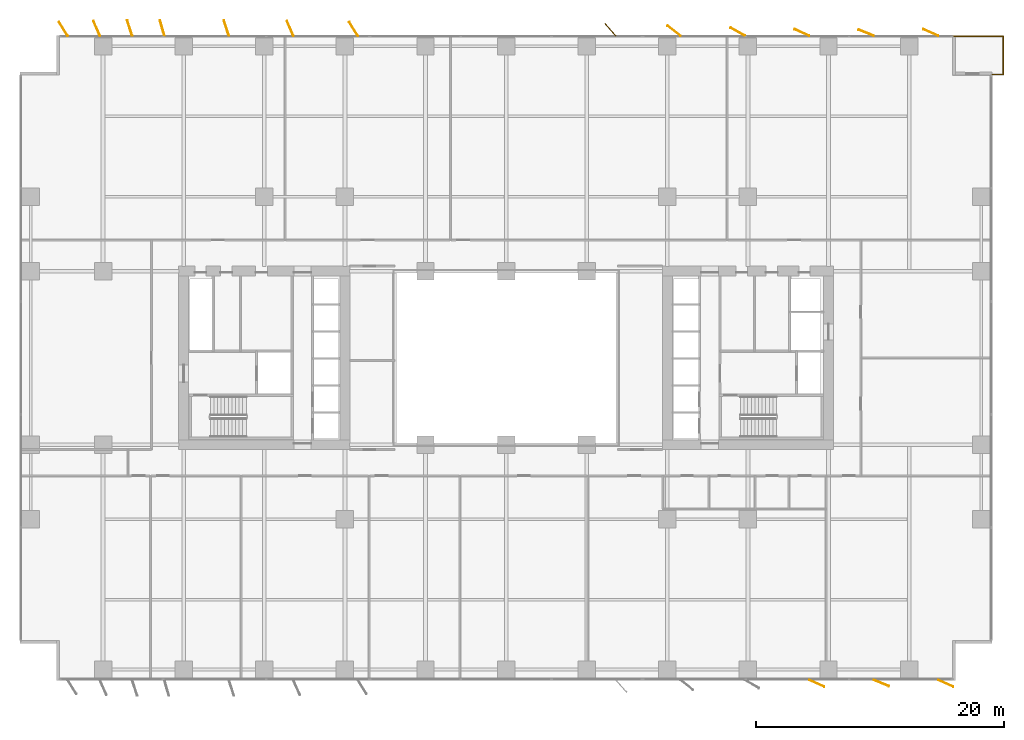
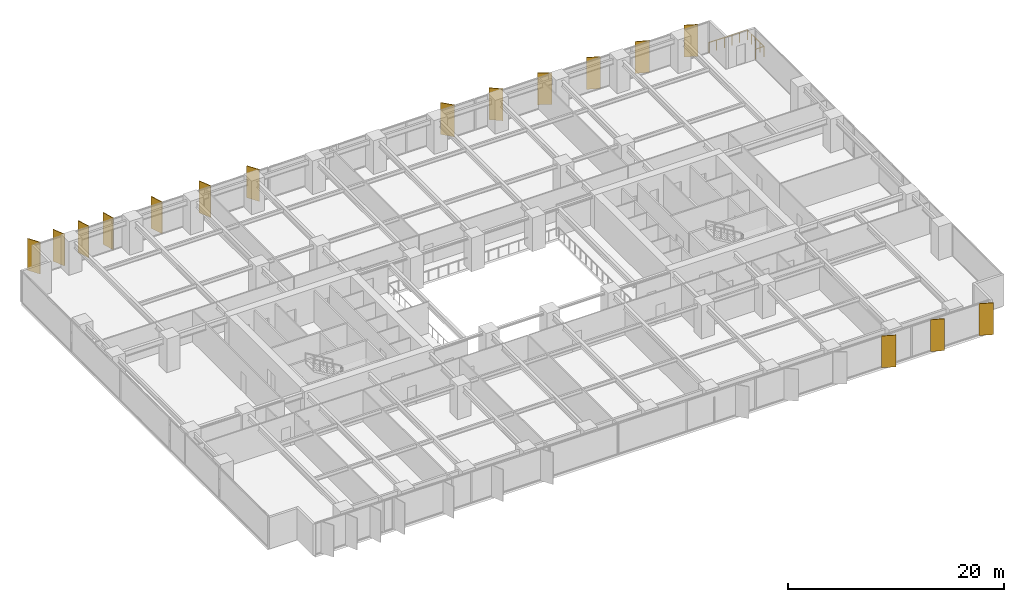
# One storey, part 20 of 20: 16 shading devices, 1 railing.
"""IFC4 building model written with IfcOpenShell, lengths in metres."""

from ifc_helpers import new_model, si_unit, direction, frame, origin, origin_2d, place, context, subcontext, project, spatial, rectangle, circle, extrude, material, layer, layer_set, type_object, element, save


model = new_model("IFC4")

# Units and contexts
model_context = context("Model", 3, precision=1e-05, world=origin(), true_north=direction((0.0, 1.0)))
body_context = subcontext(model_context, "Body", "Model", "MODEL_VIEW")
ifc_project = project(units=[si_unit("LENGTHUNIT", "METRE"), si_unit("AREAUNIT", "SQUARE_METRE"), si_unit("VOLUMEUNIT", "CUBIC_METRE"), si_unit("PLANEANGLEUNIT", "RADIAN"), si_unit("MASSUNIT", "GRAM", prefix="KILO")], contexts=[model_context])

# Site, building, storey
site_placement = place(None, origin())
site = spatial("IfcSite", under=ifc_project, at=site_placement, CompositionType="ELEMENT")
building_placement = place(site_placement, origin())
building = spatial("IfcBuilding", under=site, at=building_placement, Name="Putna Gate Headquarters", CompositionType="ELEMENT")
storey_placement = place(building_placement, frame((0.0, 0.0, 69.60009765625)))
storey = spatial("IfcBuildingStorey", under=building, at=storey_placement, Name="L16", CompositionType="ELEMENT", Elevation=69.60009765625)

# Railing
ifc_material_1 = material(Name="Anodised bronze steel and laminated glass guardrail", Category="steel")
railing_type = type_object("IfcRailingType", Name="RAIL-TERR-GUARD-1150", PredefinedType="GUARDRAIL", material=ifc_material_1)
railing_placement = place(storey_placement, frame((78.199951171875, 48.860107421875, 0.0)))
element("IfcRailing", 1, at=railing_placement, inside=storey, type_object=railing_type, Name="L16 Spiral Sky Terrace Guardrail NE", PredefinedType="GUARDRAIL", context=body_context, shape_type="SweptSolid", body=[
    extrude(circle(Radius=0.02392578125, at=origin_2d()), frame((0.0, 0.0, 1.1259765625), z_axis=(1.0, 0.0, 0.0), x_axis=(0.0, 1.0, 0.0)), (0.0, 0.0, 1.0), 0.89013671875),
    extrude(circle(Radius=0.02392578125, at=origin_2d()), frame((0.89013671875, 0.0, 1.1259765625), z_axis=(0.0, 1.0, 0.0), x_axis=(-1.0, 0.0, 0.0)), (0.0, 0.0, 1.0), 3.079833984375),
    extrude(circle(Radius=0.02392578125, at=origin_2d()), frame((0.89013671875, 3.079833984375, 1.1259765625), z_axis=(-1.0, 0.0, 0.0), x_axis=(0.0, -1.0, 0.0)), (0.0, 0.0, 1.0), 4.090087890625),
    extrude(circle(Radius=0.02099609375, at=origin_2d()), origin(), (0.0, 0.0, 1.0), 1.101806640625),
    extrude(circle(Radius=0.02099609375, at=origin_2d()), frame((0.89013671875, 0.0, 0.0)), (0.0, 0.0, 1.0), 1.101806640625),
    extrude(circle(Radius=0.02099609375, at=origin_2d()), frame((0.89013671875, 0.77001953125, 0.0)), (0.0, 0.0, 1.0), 1.101806640625),
    extrude(circle(Radius=0.02099609375, at=origin_2d()), frame((0.89013671875, 1.5400390625, 0.0)), (0.0, 0.0, 1.0), 1.101806640625),
    extrude(circle(Radius=0.02099609375, at=origin_2d()), frame((0.89013671875, 2.309814453125, 0.0)), (0.0, 0.0, 1.0), 1.101806640625),
    extrude(circle(Radius=0.02099609375, at=origin_2d()), frame((0.89013671875, 3.079833984375, 0.0)), (0.0, 0.0, 1.0), 1.101806640625),
    extrude(circle(Radius=0.02099609375, at=origin_2d()), frame((0.072021484375, 3.079833984375, 0.0)), (0.0, 0.0, 1.0), 1.101806640625),
    extrude(circle(Radius=0.02099609375, at=origin_2d()), frame((-0.745849609375, 3.079833984375, 0.0)), (0.0, 0.0, 1.0), 1.101806640625),
    extrude(circle(Radius=0.02099609375, at=origin_2d()), frame((-1.56396484375, 3.079833984375, 0.0)), (0.0, 0.0, 1.0), 1.101806640625),
    extrude(circle(Radius=0.02099609375, at=origin_2d()), frame((-2.3818359375, 3.079833984375, 0.0)), (0.0, 0.0, 1.0), 1.101806640625),
    extrude(circle(Radius=0.02099609375, at=origin_2d()), frame((-3.199951171875, 3.079833984375, 0.0)), (0.0, 0.0, 1.0), 1.101806640625),
])

# Shading devices
ifc_material_2 = material(Name="Anodised architectural bronze aluminium fin", Category="aluminium")
ifc_layer = layer(ifc_material_2, 0.06494140625)
ifc_layer_set = layer_set([ifc_layer], Name="Anodised architectural bronze aluminium fin")
shading_device_type = type_object("IfcShadingDeviceType", Name="SHADE-BRONZE-FIN-1320", PredefinedType="USERDEFINED", material=ifc_layer_set)
for number, where, z_axis, x_axis, name in (
    (2, (3.2998046875, 52.534423828125, -0.02001953125), (0.0, 0.0, 1.0), (-0.530659123936, 0.847585331506, 0.0), "L16 Bronze Vertical Shading Fin N1"),
    (3, (5.985595703125, 52.57958984375, -0.02001953125), (0.0, 0.0, 1.0), (-0.400668879095, 0.916222925562, 0.0), "L16 Bronze Vertical Shading Fin N2"),
    (4, (8.646240234375, 52.602783203125, -0.02001953125), (0.0, 0.0, 1.0), (-0.308684994204, 0.951164325631, 0.0), "L16 Bronze Vertical Shading Fin N3"),
    (5, (11.26806640625, 52.609375, -0.02001953125), (0.0, 0.0, 1.0), (-0.275637355817, 0.961261695938, 0.0), "L16 Bronze Vertical Shading Fin N4"),
    (6, (16.4462890625, 52.602783203125, -0.02001953125), (0.0, 0.0, 1.0), (-0.308684994204, 0.951164325631, 0.0), "L16 Bronze Vertical Shading Fin N5"),
    (7, (21.585693359375, 52.57958984375, -0.02001953125), (0.0, 0.0, 1.0), (-0.400668879095, 0.916222925562, 0.0), "L16 Bronze Vertical Shading Fin N6"),
    (8, (26.69970703125, 52.534423828125, -0.02001953125), (0.0, 0.0, 1.0), (-0.530659123936, 0.847585331506, 0.0), "L16 Bronze Vertical Shading Fin N7"),
    (9, (47.408447265625, 52.465576171875, -0.02001953125), (0.0, 0.0, 1.0), (-0.669130606359, 0.743144825477, 0.0), "L16 Bronze Vertical Shading Fin N8"),
    (10, (52.5302734375, 52.3818359375, -0.02001953125), (0.0, 0.0, 1.0), (-0.787473187632, 0.616348909921, 0.0), "L16 Bronze Vertical Shading Fin N9"),
    (11, (57.67626953125, 52.30126953125, -0.02001953125), (0.0, 0.0, 1.0), (-0.869322458298, 0.494245347472, 0.0), "L16 Bronze Vertical Shading Fin N10"),
    (12, (64.052978515625, -0.2431640625, -0.02001953125), (0.0, 0.0, 1.0), (0.913687379856, -0.40641773078, 0.0), "L16 Bronze Vertical Shading Fin S11"),
    (13, (62.846923828125, 52.2431640625, -0.02001953125), (0.0, 0.0, 1.0), (-0.913687379856, 0.40641773078, 0.0), "L16 Bronze Vertical Shading Fin N11"),
    (14, (69.261962890625, -0.22216796875, -0.02001953125), (0.0, 0.0, 1.0), (0.927183854567, -0.374606593416, 0.0), "L16 Bronze Vertical Shading Fin S12"),
    (15, (68.0380859375, 52.22216796875, -0.02001953125), (0.0, 0.0, 1.0), (-0.927183854567, 0.374606593416, 0.0), "L16 Bronze Vertical Shading Fin N12"),
    (16, (74.452880859375, -0.2431640625, -0.02001953125), (0.0, 0.0, 1.0), (0.913687379856, -0.40641773078, 0.0), "L16 Bronze Vertical Shading Fin S13"),
    (17, (73.2470703125, 52.2431640625, -0.02001953125), (0.0, 0.0, 1.0), (-0.913687379856, 0.40641773078, 0.0), "L16 Bronze Vertical Shading Fin N13"),
):
    element("IfcShadingDevice", number, at=place(storey_placement, frame(where, z_axis=z_axis, x_axis=x_axis)), inside=storey, type_object=shading_device_type, Name=name, ObjectType="FIN", PredefinedType="USERDEFINED", context=body_context, shape_type="SweptSolid", body=[
        extrude(rectangle(XDim=1.320068359375, YDim=0.06494140625, at=origin_2d()), origin(), (0.0, 0.0, 1.0), 3.590087890625),
    ])

save(model, "model.ifc")
